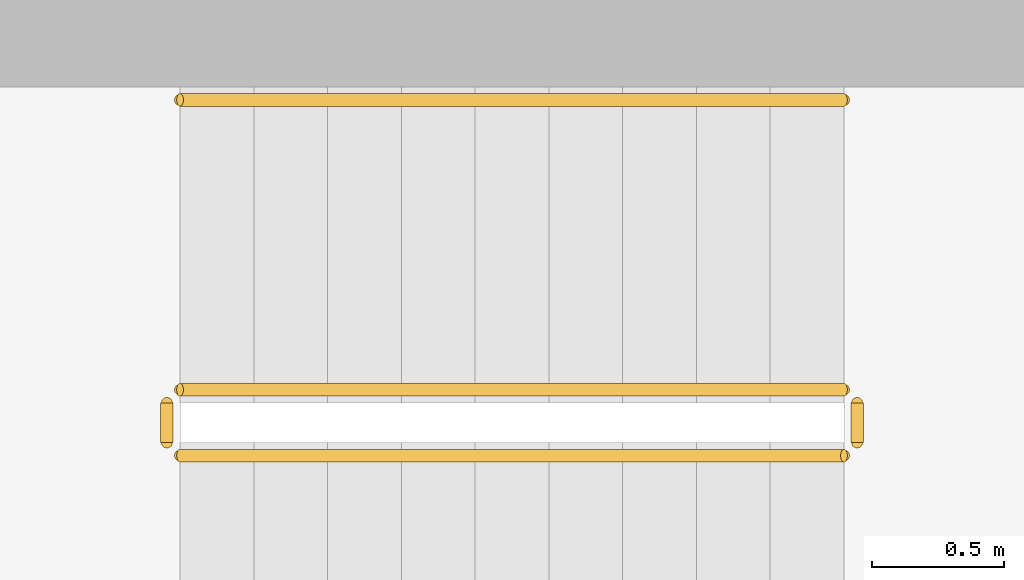
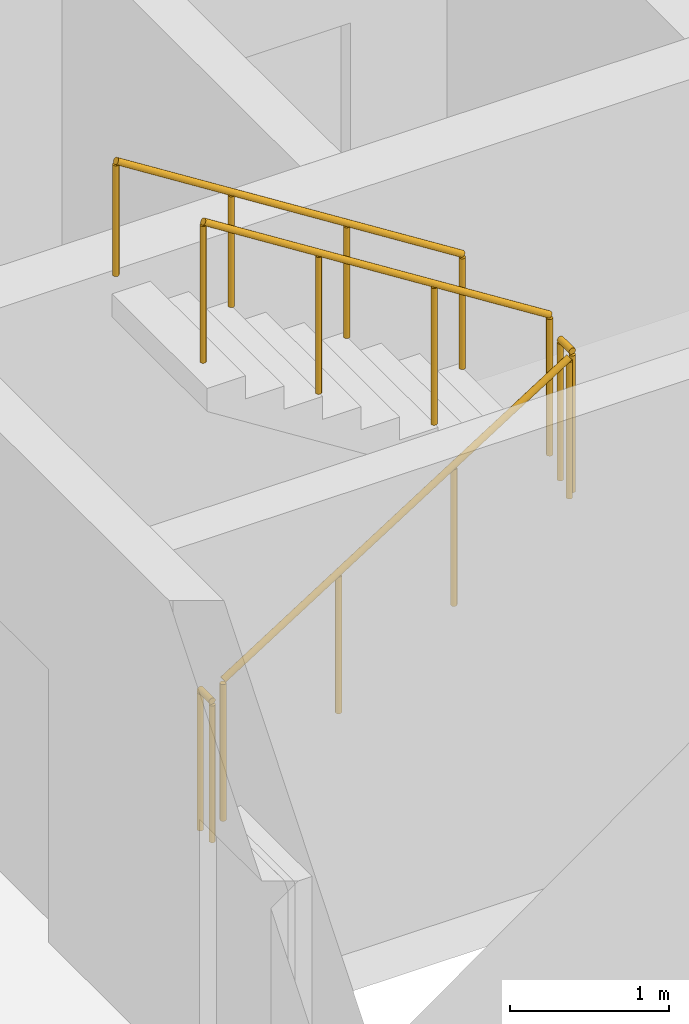
# One storey, part 15 of 17: 5 railings.
"""IFC4 building model written with IfcOpenShell, lengths in metres."""

from ifc_helpers import new_model, si_unit, direction, frame, origin, origin_2d, place, context, subcontext, project, spatial, circle, extrude, material, type_object, element, save


model = new_model("IFC4")

# Units and contexts
model_context = context("Model", 3, precision=1e-05, world=origin(), true_north=direction((0.0, 1.0)))
body_context = subcontext(model_context, "Body", "Model", "MODEL_VIEW")
ifc_project = project(units=[si_unit("LENGTHUNIT", "METRE"), si_unit("AREAUNIT", "SQUARE_METRE"), si_unit("VOLUMEUNIT", "CUBIC_METRE"), si_unit("PLANEANGLEUNIT", "RADIAN"), si_unit("MASSUNIT", "GRAM", prefix="KILO")], contexts=[model_context])

# Site, building, storey
site_placement = place(None, origin())
site = spatial("IfcSite", under=ifc_project, at=site_placement, CompositionType="ELEMENT")
building_placement = place(site_placement, origin())
building = spatial("IfcBuilding", under=site, at=building_placement, Name="Ostrand Prow Hotel Tower", CompositionType="ELEMENT")
storey_placement = place(building_placement, frame((0.0, 0.0, 203.89990234375)))
storey = spatial("IfcBuildingStorey", under=building, at=storey_placement, Name="L51", CompositionType="ELEMENT", Elevation=203.89990234375)

# Railings
ifc_material_1 = material(Name="Painted steel", Category="steel")
railing_type_1 = type_object("IfcRailingType", Name="Stair guard 1100", PredefinedType="GUARDRAIL", material=ifc_material_1)
railing_1_placement = place(storey_placement, frame((57.199951171875, -11.75, 0.177490234375)))
element("IfcRailing", 1, at=railing_1_placement, inside=storey, type_object=railing_type_1, Name="L51 ST2C stair guard 1", PredefinedType="GUARDRAIL", context=body_context, shape_type="SweptSolid", body=[
    extrude(circle(Radius=0.02392578125, at=origin_2d()), frame((0.0, 0.0, 1.076171875), z_axis=(0.84456994832, 0.0, 0.535445237532), x_axis=(0.0, 1.0, 0.0)), (0.0, 0.0, 1.0), 2.98388671875),
    extrude(circle(Radius=0.02099609375, at=origin_2d()), origin(), (0.0, 0.0, 1.0), 1.052001953125),
    extrude(circle(Radius=0.02099609375, at=origin_2d()), frame((0.840087890625, 0.0, 0.532470703125)), (0.0, 0.0, 1.0), 1.052001953125),
    extrude(circle(Radius=0.02099609375, at=origin_2d()), frame((1.679931640625, 0.0, 1.065185546875)), (0.0, 0.0, 1.0), 1.052001953125),
    extrude(circle(Radius=0.02099609375, at=origin_2d()), frame((2.52001953125, 0.0, 1.59765625)), (0.0, 0.0, 1.0), 1.052001953125),
])
railing_2_placement = place(storey_placement, frame((59.77001953125, -11.699951171875, 1.775146484375)))
element("IfcRailing", 2, at=railing_2_placement, inside=storey, type_object=railing_type_1, Name="L51 ST2C stair guard 2", PredefinedType="GUARDRAIL", context=body_context, shape_type="SweptSolid", body=[
    extrude(circle(Radius=0.02392578125, at=origin_2d()), frame((0.0, 0.0, 1.076171875), z_axis=(0.0, 1.0, 0.0), x_axis=(-1.0, 0.0, 0.0)), (0.0, 0.0, 1.0), 0.14990234375),
    extrude(circle(Radius=0.02099609375, at=origin_2d()), origin(), (0.0, 0.0, 1.0), 1.052001953125),
    extrude(circle(Radius=0.02099609375, at=origin_2d()), frame((0.0, 0.14990234375, 0.0)), (0.0, 0.0, 1.0), 1.052001953125),
])
railing_3_placement = place(storey_placement, frame((59.719970703125, -11.5, 1.95263671875)))
element("IfcRailing", 3, at=railing_3_placement, inside=storey, type_object=railing_type_1, Name="L51 ST2C stair guard 3", PredefinedType="GUARDRAIL", context=body_context, shape_type="SweptSolid", body=[
    extrude(circle(Radius=0.02392578125, at=origin_2d()), frame((0.0, 0.0, 1.076171875), z_axis=(-0.84460694969, 0.0, 0.535386869969), x_axis=(0.0, -1.0, 0.0)), (0.0, 0.0, 1.0), 2.983642578125),
    extrude(circle(Radius=0.02099609375, at=origin_2d()), origin(), (0.0, 0.0, 1.0), 1.052001953125),
    extrude(circle(Radius=0.02099609375, at=origin_2d()), frame((-0.840087890625, 0.0, 0.532470703125)), (0.0, 0.0, 1.0), 1.052001953125),
    extrude(circle(Radius=0.02099609375, at=origin_2d()), frame((-1.679931640625, 0.0, 1.06494140625)), (0.0, 0.0, 1.0), 1.052001953125),
    extrude(circle(Radius=0.02099609375, at=origin_2d()), frame((-2.52001953125, 0.0, 1.597412109375)), (0.0, 0.0, 1.0), 1.052001953125),
])
railing_4_placement = place(storey_placement, frame((57.14990234375, -11.699951171875, 0.0)))
element("IfcRailing", 4, at=railing_4_placement, inside=storey, type_object=railing_type_1, Name="L51 ST2C stair guard 4", PredefinedType="GUARDRAIL", context=body_context, shape_type="SweptSolid", body=[
    extrude(circle(Radius=0.02392578125, at=origin_2d()), frame((0.0, 0.0, 1.076171875), z_axis=(0.0, 1.0, 0.0), x_axis=(-1.0, 0.0, 0.0)), (0.0, 0.0, 1.0), 0.14990234375),
    extrude(circle(Radius=0.02099609375, at=origin_2d()), origin(), (0.0, 0.0, 1.0), 1.052001953125),
    extrude(circle(Radius=0.02099609375, at=origin_2d()), frame((0.0, 0.14990234375, 0.0)), (0.0, 0.0, 1.0), 1.052001953125),
])
ifc_material_2 = material(Name="Stainless steel", Category="steel")
railing_type_2 = type_object("IfcRailingType", Name="Stair handrail 900", PredefinedType="HANDRAIL", material=ifc_material_2)
railing_5_placement = place(storey_placement, frame((59.719970703125, -10.39990234375, 1.95263671875)))
element("IfcRailing", 5, at=railing_5_placement, inside=storey, type_object=railing_type_2, Name="L51 ST2C stair handrail 2", PredefinedType="HANDRAIL", context=body_context, shape_type="SweptSolid", body=[
    extrude(circle(Radius=0.02392578125, at=origin_2d()), frame((0.0, 0.0, 0.8759765625), z_axis=(-0.84460694969, 0.0, 0.535386869969), x_axis=(0.0, -1.0, 0.0)), (0.0, 0.0, 1.0), 2.983642578125),
    extrude(circle(Radius=0.02099609375, at=origin_2d()), origin(), (0.0, 0.0, 1.0), 0.851806640625),
    extrude(circle(Radius=0.02099609375, at=origin_2d()), frame((-0.840087890625, 0.0, 0.532470703125)), (0.0, 0.0, 1.0), 0.851806640625),
    extrude(circle(Radius=0.02099609375, at=origin_2d()), frame((-1.679931640625, 0.0, 1.06494140625)), (0.0, 0.0, 1.0), 0.851806640625),
    extrude(circle(Radius=0.02099609375, at=origin_2d()), frame((-2.52001953125, 0.0, 1.597412109375)), (0.0, 0.0, 1.0), 0.851806640625),
])

save(model, "model.ifc")
